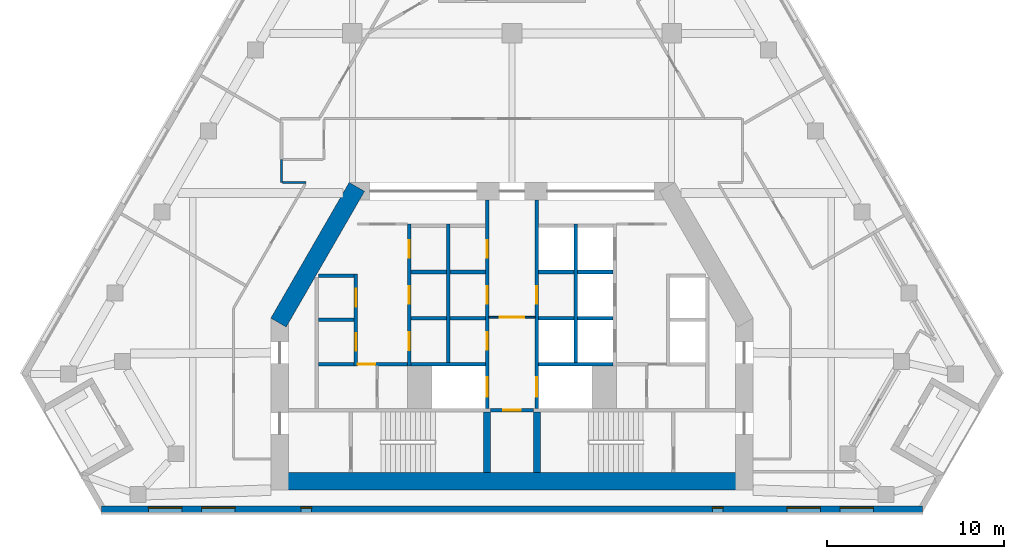
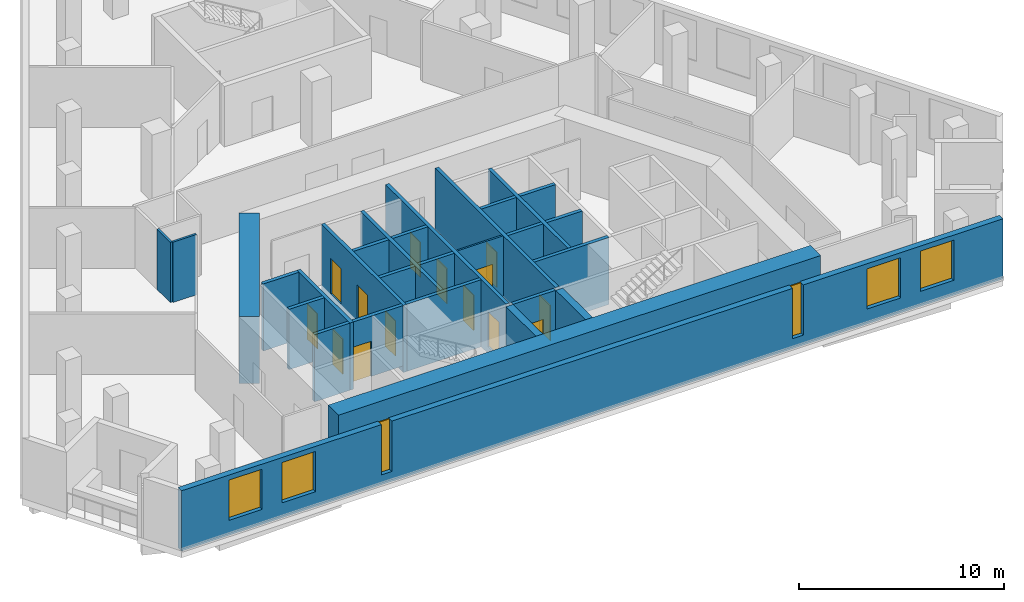
# One storey, part 4 of 9: 29 walls, 14 doors, 6 windows, 20 openings.
"""IFC4 building model written with IfcOpenShell, lengths in metres."""

import ifcopenshell
import ifcopenshell.guid

model = None  # the IFC model being written
_history = None  # IfcOwnerHistory: only IFC2X3 demands one
_inside = {}  # id of a spatial element -> (the spatial element, [elements in it])
_under = {}  # id of a project, library or spatial element -> (it, [spatial elements below it])
_declared = {}  # id of a project -> (the project, [libraries it declares])
_typed = {}  # id of a type object -> (the type object, [elements of that type])
_made_of = {}  # id of a material, layer set ... -> (it, [elements and type objects made of it])


def new_model(schema):
    """Start an empty IFC model of exactly this schema.

    Asked for "IFC4X3", IfcOpenShell would pick the latest addendum, in which some entities
    have other attributes; the version numbers below select the first issue.
    IFC2X3 requires an IfcOwnerHistory on every rooted entity: one is made here for all.
    """
    global model, _history
    if schema == "IFC4X3":
        model = ifcopenshell.file(schema_version=(4, 3, 0, 0))
    else:
        model = ifcopenshell.file(schema=schema)
    _inside.clear()
    _under.clear()
    _declared.clear()
    _typed.clear()
    _made_of.clear()
    _history = None
    if model.schema == "IFC2X3":
        org = make("IfcOrganization", Name="unknown")
        user = make(
            "IfcPersonAndOrganization",
            ThePerson=make("IfcPerson", FamilyName="unknown"),
            TheOrganization=org,
        )
        app = make(
            "IfcApplication",
            ApplicationDeveloper=org,
            Version="unknown",
            ApplicationFullName="unknown",
            ApplicationIdentifier="unknown",
        )
        _history = make(
            "IfcOwnerHistory",
            OwningUser=user,
            OwningApplication=app,
            ChangeAction="ADDED",
            CreationDate=0,
        )
    return model


def make(cls, **values):
    """One entity of the class cls with the attributes given. An attribute that is None is left unset."""
    return model.create_entity(
        cls, **{name: value for name, value in values.items() if value is not None}
    )


def rooted(cls, **values):
    """An entity with a GlobalId (a new one), such as an element, a storey or a relation."""
    return make(cls, GlobalId=ifcopenshell.guid.new(), OwnerHistory=_history, **values)


def si_unit(unit_type, name, prefix=None):
    """IfcSIUnit, for example si_unit("LENGTHUNIT", "METRE", prefix="MILLI")."""
    return make("IfcSIUnit", UnitType=unit_type, Prefix=prefix, Name=name)


def assignment(units):
    """IfcUnitAssignment: the units of a project."""
    return None if units is None else make("IfcUnitAssignment", Units=units)


def point(xyz):
    """IfcCartesianPoint."""
    return None if xyz is None else make("IfcCartesianPoint", Coordinates=xyz)


def direction(xyz):
    """IfcDirection."""
    return None if xyz is None else make("IfcDirection", DirectionRatios=xyz)


def frame(location, z_axis=None, x_axis=None):
    """IfcAxis2Placement3D, a coordinate frame: its origin and axes. An axis left out is left unset."""
    return make(
        "IfcAxis2Placement3D",
        Location=point(location),
        Axis=direction(z_axis),
        RefDirection=direction(x_axis),
    )


def frame_2d(location, x_axis=None):
    """IfcAxis2Placement2D, a coordinate frame in the plane: its origin and x axis."""
    return make(
        "IfcAxis2Placement2D", Location=point(location), RefDirection=direction(x_axis)
    )


def origin():
    """The frame at (0, 0, 0) with its axes left unset."""
    return frame((0.0, 0.0, 0.0))


def place(relative_to, where):
    """IfcLocalPlacement: puts the frame where relative to a parent placement (None: the world)."""
    return make(
        "IfcLocalPlacement", PlacementRelTo=relative_to, RelativePlacement=where
    )


def context(
    kind, dimensions, precision=None, world=None, true_north=None, identifier=None
):
    """IfcGeometricRepresentationContext, for example the 3D "Model" context."""
    return make(
        "IfcGeometricRepresentationContext",
        ContextIdentifier=identifier,
        ContextType=kind,
        CoordinateSpaceDimension=dimensions,
        Precision=precision,
        WorldCoordinateSystem=world,
        TrueNorth=true_north,
    )


def subcontext(parent, identifier, kind, view, scale=None):
    """IfcGeometricRepresentationSubContext, for example "Body" below "Model"."""
    return make(
        "IfcGeometricRepresentationSubContext",
        ContextIdentifier=identifier,
        ContextType=kind,
        ParentContext=parent,
        TargetScale=scale,
        TargetView=view,
    )


def project(units=None, contexts=None):
    """IfcProject with its units and contexts."""
    return rooted(
        "IfcProject",
        Name="project",
        RepresentationContexts=contexts,
        UnitsInContext=assignment(units),
    )


def spatial(cls, under=None, at=None, **own):
    """A site, building, storey or space (cls), placed at a placement, below another one or the project."""
    s = rooted(cls, ObjectPlacement=at, **own)
    if under is not None:
        _under.setdefault(under.id(), (under, []))[1].append(s)
    return s


def profile(cls, at=None, kind="AREA", **sizes):
    """A parametric profile (cls). Its sizes go by their IFC names, for example OverallWidth=200.0."""
    return make(cls, ProfileType=kind, Position=at, **sizes)


def rectangle(**sizes):
    """IfcRectangleProfileDef."""
    return profile("IfcRectangleProfileDef", **sizes)


def extrude(swept, where, along, depth):
    """IfcExtrudedAreaSolid: the profile swept, set in the frame where, extruded along a direction by depth."""
    return make(
        "IfcExtrudedAreaSolid",
        SweptArea=swept,
        Position=where,
        ExtrudedDirection=direction(along),
        Depth=depth,
    )


def shape(context_of_items, identifier, shape_type, items):
    """IfcShapeRepresentation: the items that make up one representation, for example the "Body"."""
    return make(
        "IfcShapeRepresentation",
        ContextOfItems=context_of_items,
        RepresentationIdentifier=identifier,
        RepresentationType=shape_type,
        Items=items,
    )


def material(Name=None, Category=None):
    """IfcMaterial."""
    return make("IfcMaterial", Name=Name, Category=Category)


def layer(
    of_material, thickness, ventilated=None, Name=None, Category=None, Priority=None
):
    """IfcMaterialLayer: one layer of a wall or slab, of a material (None: an air gap)."""
    return make(
        "IfcMaterialLayer",
        Material=of_material,
        LayerThickness=thickness,
        IsVentilated=ventilated,
        Name=Name,
        Category=Category,
        Priority=Priority,
    )


def layer_set(layers, Name=None):
    """IfcMaterialLayerSet."""
    return make("IfcMaterialLayerSet", MaterialLayers=layers, LayerSetName=Name)


def made_of(thing, what):
    """Note that an element or type object is made of a material, layer set ...; save() writes the relation."""
    if what is not None:
        _made_of.setdefault(what.id(), (what, []))[1].append(thing)
    return thing


def type_object(cls, material=None, **own):
    """A type object (cls), such as IfcWallType, which elements share."""
    return made_of(rooted(cls, **own), material)


def element(
    cls,
    number,
    at=None,
    inside=None,
    cuts=None,
    type_object=None,
    material=None,
    context=None,
    identifier="Body",
    shape_type=None,
    held_by="IfcProductDefinitionShape",
    body=None,
    shapes=None,
    **own,
):
    """One element of the class cls, such as IfcWall. Its Tag is "e" and its number.

    at: its placement. inside: the storey or other place that contains it. cuts: it is an
    opening in that element (IfcRelVoidsElement). A single representation is given by context,
    identifier, shape_type and body (its items); several are given by shapes. held_by: the class
    of the entity that holds the representations. save() writes the other relations.
    """
    e = rooted(cls, Tag="e%d" % number, ObjectPlacement=at, **own)
    if body is not None:
        shapes = [shape(context, identifier, shape_type, body)]
    if shapes is not None:
        e.Representation = make(held_by, Representations=shapes)
    if inside is not None:
        _inside.setdefault(inside.id(), (inside, []))[1].append(e)
    if cuts is not None:
        rooted(
            "IfcRelVoidsElement", RelatingBuildingElement=cuts, RelatedOpeningElement=e
        )
    if type_object is not None:
        _typed.setdefault(type_object.id(), (type_object, []))[1].append(e)
    return made_of(e, material)


def fill(opening, filler):
    """IfcRelFillsElement: the door or window that sits in an opening."""
    return rooted(
        "IfcRelFillsElement",
        RelatingOpeningElement=opening,
        RelatedBuildingElement=filler,
    )


def aggregate(whole, parts):
    """IfcRelAggregates: a whole, such as a stair, and the parts it consists of."""
    return rooted("IfcRelAggregates", RelatingObject=whole, RelatedObjects=parts)


def save(model, path):
    """Write the relations noted so far, then the file.

    IfcRelAggregates (storeys below a building ...), IfcRelContainedInSpatialStructure (elements
    in a storey), IfcRelDefinesByType, IfcRelAssociatesMaterial and IfcRelDeclares: one each for
    every whole, place, type object, material and project.
    """
    for whole, parts in _under.values():
        aggregate(whole, parts)
    for where, things in _inside.values():
        rooted(
            "IfcRelContainedInSpatialStructure",
            RelatedElements=things,
            RelatingStructure=where,
        )
    for kind, things in _typed.values():
        rooted("IfcRelDefinesByType", RelatedObjects=things, RelatingType=kind)
    for what, things in _made_of.values():
        rooted("IfcRelAssociatesMaterial", RelatedObjects=things, RelatingMaterial=what)
    for by, libraries in _declared.values():
        rooted("IfcRelDeclares", RelatingContext=by, RelatedDefinitions=libraries)
    model.write(path)


model = new_model("IFC4")

# Units and contexts
model_context = context("Model", 3, precision=1e-05, world=origin(), true_north=direction((0.0, 1.0)))
body_context = subcontext(model_context, "Body", "Model", "MODEL_VIEW")
ifc_project = project(units=[si_unit("LENGTHUNIT", "METRE"), si_unit("AREAUNIT", "SQUARE_METRE"), si_unit("VOLUMEUNIT", "CUBIC_METRE"), si_unit("PLANEANGLEUNIT", "RADIAN"), si_unit("MASSUNIT", "GRAM", prefix="KILO")], contexts=[model_context])

# Site, building, storey
site_placement = place(None, origin())
site = spatial("IfcSite", under=ifc_project, at=site_placement, CompositionType="ELEMENT")
building_placement = place(site_placement, origin())
building = spatial("IfcBuilding", under=site, at=building_placement, Name="Fogline Exchange Tower", CompositionType="ELEMENT")
storey_placement = place(building_placement, frame((0.0, 0.0, 194.10009765625)))
storey = spatial("IfcBuildingStorey", under=building, at=storey_placement, Name="L43", CompositionType="ELEMENT", Elevation=194.10009765625)

# Wall, opening, door
ifc_material_1 = material(Name="Blockwork partition", Category="masonry")
ifc_layer_1 = layer(ifc_material_1, 0.10009765625)
ifc_layer_set_1 = layer_set([ifc_layer_1], Name="CW10")
wall_type_1 = type_object("IfcWallType", Name="CW10", PredefinedType="PARTITIONING", material=ifc_layer_set_1)
wall_1_placement = place(storey_placement, frame((-1.300048828125, 11.0, 0.0), z_axis=(0.0, 0.0, 1.0), x_axis=(1.0, 0.0, 0.0)))
wall_1 = element("IfcWall", 1, at=wall_1_placement, inside=storey, type_object=wall_type_1, Name="Lift lobby partition", PredefinedType="PARTITIONING", context=body_context, shape_type="SweptSolid", body=[
    extrude(rectangle(XDim=2.60009765625, YDim=0.10009765625, at=frame_2d((1.300048828125, 0.0))), origin(), (0.0, 0.0, 1.0), 3.599853515625),
])
opening_1_placement = place(wall_1_placement, frame((0.60009765625, 0.0, 0.0)))
opening_1 = element("IfcOpeningElement", 2, at=opening_1_placement, cuts=wall_1, Name="Opening T14-C023", PredefinedType="OPENING", context=body_context, shape_type="SweptSolid", body=[
    extrude(rectangle(XDim=1.39990234375, YDim=2.10009765625, at=frame_2d((0.699951171875, 1.050048828125))), frame((0.0, 0.06005859375, 0.0), z_axis=(0.0, -1.0, 0.0), x_axis=(1.0, 0.0, 0.0)), (0.0, 0.0, 1.0), 0.1201171875),
])
ifc_material_2 = material(Name="Steel and timber fire door", Category="steel")
door_type_1 = type_object("IfcDoorType", Name="D-LB1", OperationType="DOUBLE_DOOR_SINGLE_SWING", PredefinedType="DOOR", material=ifc_material_2)
door_1_placement = place(opening_1_placement, frame((1.39990234375, 0.0, 0.0), z_axis=(0.0, 0.0, 1.0), x_axis=(-1.0, 0.0, 0.0)))
door_1 = element("IfcDoor", 3, at=door_1_placement, inside=storey, type_object=door_type_1, Name="Door to firefighting lift lobby", OperationType="DOUBLE_DOOR_SINGLE_SWING", OverallHeight=2.10009765625, OverallWidth=1.39990234375, PredefinedType="DOOR", context=body_context, shape_type="SweptSolid", body=[
    extrude(rectangle(XDim=1.39990234375, YDim=2.10009765625, at=frame_2d((0.699951171875, 1.050048828125))), frame((0.0, 0.02490234375, 0.0), z_axis=(0.0, -1.0, 0.0), x_axis=(1.0, 0.0, 0.0)), (0.0, 0.0, 1.0), 0.050048828125),
])
fill(opening_1, door_1)

# Walls
ifc_material_3 = material(Name="Concrete C40", Category="concrete")
ifc_layer_2 = layer(ifc_material_3, 0.199951171875)
ifc_layer_set_2 = layer_set([ifc_layer_2], Name="CW20")
wall_type_2 = type_object("IfcWallType", Name="CW20", PredefinedType="SOLIDWALL", material=ifc_layer_set_2)
for number, where, z_axis, x_axis, name in (
    (4, (-10.89990234375, 10.85009765625, 0.0), (0.0, 0.0, 1.0), (1.0, 0.0, 0.0), "Service room wall"),
    (5, (-5.699951171875, 10.949951171875, 0.0), (0.0, 0.0, 1.0), (1.0, 0.0, 0.0), "Service room wall"),
    (6, (-5.699951171875, 13.550048828125, 0.0), (0.0, 0.0, 1.0), (1.0, 0.0, 0.0), "Service room wall"),
    (7, (-3.5, 10.949951171875, 0.0), (0.0, 0.0, 1.0), (1.0, 0.0, 0.0), "Service room wall"),
    (8, (-3.5, 13.550048828125, 0.0), (0.0, 0.0, 1.0), (1.0, 0.0, 0.0), "Service room wall"),
):
    element("IfcWall", number, at=place(storey_placement, frame(where, z_axis=z_axis, x_axis=x_axis)), inside=storey, type_object=wall_type_2, Name=name, PredefinedType="SOLIDWALL", context=body_context, shape_type="SweptSolid", body=[
        extrude(rectangle(XDim=2.0, YDim=0.199951171875, at=frame_2d((1.0, 0.0))), origin(), (0.0, 0.0, 1.0), 3.599853515625),
    ])

# Wall, opening, door
wall_2_placement = place(storey_placement, frame((-8.699951171875, 8.35009765625, 0.0), z_axis=(0.0, 0.0, 1.0), x_axis=(1.0, 0.0, 0.0)))
wall_2 = element("IfcWall", 9, at=wall_2_placement, inside=storey, type_object=wall_type_2, Name="WC wall", PredefinedType="SOLIDWALL", context=body_context, shape_type="SweptSolid", body=[
    extrude(rectangle(XDim=2.800048828125, YDim=0.199951171875, at=frame_2d((1.39990234375, 0.0))), origin(), (0.0, 0.0, 1.0), 3.599853515625),
])
opening_2_placement = place(wall_2_placement, origin())
opening_2 = element("IfcOpeningElement", 10, at=opening_2_placement, cuts=wall_2, Name="Opening T14-C012", PredefinedType="OPENING", context=body_context, shape_type="SweptSolid", body=[
    extrude(rectangle(XDim=1.0, YDim=2.10009765625, at=frame_2d((0.5, 1.050048828125))), frame((0.0, 0.10986328125, 0.0), z_axis=(0.0, -1.0, 0.0), x_axis=(1.0, 0.0, 0.0)), (0.0, 0.0, 1.0), 0.219970703125),
])
door_type_2 = type_object("IfcDoorType", Name="D-WC1", OperationType="SINGLE_SWING_LEFT", PredefinedType="DOOR", material=ifc_material_2)
door_2_placement = place(opening_2_placement, frame((1.0, 0.0, 0.0), z_axis=(0.0, 0.0, 1.0), x_axis=(-1.0, 0.0, 0.0)))
door_2 = element("IfcDoor", 11, at=door_2_placement, inside=storey, type_object=door_type_2, Name="Door to Men's WC", OperationType="SINGLE_SWING_LEFT", OverallHeight=2.10009765625, OverallWidth=1.0, PredefinedType="DOOR", context=body_context, shape_type="SweptSolid", body=[
    extrude(rectangle(XDim=1.0, YDim=2.10009765625, at=frame_2d((0.5, 1.050048828125))), frame((0.0, 0.02490234375, 0.0), z_axis=(0.0, -1.0, 0.0), x_axis=(1.0, 0.0, 0.0)), (0.0, 0.0, 1.0), 0.050048828125),
])
fill(opening_2, door_2)

ifc_layer_3 = layer(ifc_material_3, 0.199951171875)
ifc_layer_set_3 = layer_set([ifc_layer_3], Name="CW20R")
wall_type_3 = type_object("IfcWallType", Name="CW20R", PredefinedType="SOLIDWALL", material=ifc_layer_set_3)
wall_3_placement = place(storey_placement, frame((-1.199951171875, 5.75, -0.400146484375), z_axis=(0.0, 0.0, 1.0), x_axis=(1.0, 0.0, 0.0)))
wall_3 = element("IfcWall", 12, at=wall_3_placement, inside=storey, type_object=wall_type_3, Name="Stair enclosure wall", PredefinedType="SOLIDWALL", context=body_context, shape_type="SweptSolid", body=[
    extrude(rectangle(XDim=2.39990234375, YDim=0.199951171875, at=frame_2d((1.199951171875, 0.0))), origin(), (0.0, 0.0, 1.0), 4.0),
])
opening_3_placement = place(wall_3_placement, frame((0.699951171875, 0.0, 0.39990234375)))
opening_3 = element("IfcOpeningElement", 13, at=opening_3_placement, cuts=wall_3, Name="Opening T14-C010", PredefinedType="OPENING", context=body_context, shape_type="SweptSolid", body=[
    extrude(rectangle(XDim=1.0, YDim=2.10009765625, at=frame_2d((0.5, 1.050048828125))), frame((0.0, 0.10986328125, 0.0), z_axis=(0.0, -1.0, 0.0), x_axis=(1.0, 0.0, 0.0)), (0.0, 0.0, 1.0), 0.219970703125),
])
door_type_3 = type_object("IfcDoorType", Name="D-RM1", OperationType="SINGLE_SWING_LEFT", PredefinedType="DOOR", material=ifc_material_2)
door_3_placement = place(opening_3_placement, frame((1.0, 0.0, 0.0), z_axis=(0.0, 0.0, 1.0), x_axis=(-1.0, 0.0, 0.0)))
door_3 = element("IfcDoor", 14, at=door_3_placement, inside=storey, type_object=door_type_3, Name="Door to Library Store", OperationType="SINGLE_SWING_RIGHT", OverallHeight=2.10009765625, OverallWidth=1.0, PredefinedType="DOOR", context=body_context, shape_type="SweptSolid", body=[
    extrude(rectangle(XDim=1.0, YDim=2.10009765625, at=frame_2d((0.5, 1.050048828125))), frame((0.0, 0.02490234375, 0.0), z_axis=(0.0, -1.0, 0.0), x_axis=(1.0, 0.0, 0.0)), (0.0, 0.0, 1.0), 0.050048828125),
])
fill(opening_3, door_3)

# Wall, openings, doors
ifc_layer_4 = layer(ifc_material_3, 0.199951171875)
ifc_layer_set_4 = layer_set([ifc_layer_4], Name="CW20S")
wall_type_4 = type_object("IfcWallType", Name="CW20S", PredefinedType="SOLIDWALL", material=ifc_layer_set_4)
wall_4_placement = place(storey_placement, frame((-8.800048828125, 8.25, -0.400146484375), z_axis=(0.0, 0.0, 1.0), x_axis=(0.0, 1.0, 0.0)))
wall_4 = element("IfcWall", 15, at=wall_4_placement, inside=storey, type_object=wall_type_4, Name="Lift shaft wall", PredefinedType="SOLIDWALL", context=body_context, shape_type="SweptSolid", body=[
    extrude(rectangle(XDim=5.199951171875, YDim=0.199951171875, at=frame_2d((2.60009765625, 0.0))), origin(), (0.0, 0.0, 1.0), 4.0),
])
opening_4_placement = place(wall_4_placement, frame((0.85009765625, 0.0, 0.39990234375)))
opening_4 = element("IfcOpeningElement", 16, at=opening_4_placement, cuts=wall_4, Name="Opening T14-C001", PredefinedType="OPENING", context=body_context, shape_type="SweptSolid", body=[
    extrude(rectangle(XDim=1.0, YDim=2.10009765625, at=frame_2d((0.5, 1.050048828125))), frame((0.0, 0.10986328125, 0.0), z_axis=(0.0, -1.0, 0.0), x_axis=(1.0, 0.0, 0.0)), (0.0, 0.0, 1.0), 0.219970703125),
])
opening_5_placement = place(wall_4_placement, frame((3.35009765625, 0.0, 0.39990234375)))
opening_5 = element("IfcOpeningElement", 17, at=opening_5_placement, cuts=wall_4, Name="Opening T14-C002", PredefinedType="OPENING", context=body_context, shape_type="SweptSolid", body=[
    extrude(rectangle(XDim=1.0, YDim=2.10009765625, at=frame_2d((0.5, 1.050048828125))), frame((0.0, 0.10986328125, 0.0), z_axis=(0.0, -1.0, 0.0), x_axis=(1.0, 0.0, 0.0)), (0.0, 0.0, 1.0), 0.219970703125),
])
door_4_placement = place(opening_4_placement, origin())
door_4 = element("IfcDoor", 18, at=door_4_placement, inside=storey, type_object=door_type_3, Name="Door to Riser Room", OperationType="SINGLE_SWING_RIGHT", OverallHeight=2.10009765625, OverallWidth=1.0, PredefinedType="DOOR", context=body_context, shape_type="SweptSolid", body=[
    extrude(rectangle(XDim=1.0, YDim=2.10009765625, at=frame_2d((0.5, 1.050048828125))), frame((0.0, 0.02490234375, 0.0), z_axis=(0.0, -1.0, 0.0), x_axis=(1.0, 0.0, 0.0)), (0.0, 0.0, 1.0), 0.050048828125),
])
fill(opening_4, door_4)
door_5_placement = place(opening_5_placement, origin())
door_5 = element("IfcDoor", 19, at=door_5_placement, inside=storey, type_object=door_type_3, Name="Door to Plant Room", OperationType="SINGLE_SWING_RIGHT", OverallHeight=2.10009765625, OverallWidth=1.0, PredefinedType="DOOR", context=body_context, shape_type="SweptSolid", body=[
    extrude(rectangle(XDim=1.0, YDim=2.10009765625, at=frame_2d((0.5, 1.050048828125))), frame((0.0, 0.02490234375, 0.0), z_axis=(0.0, -1.0, 0.0), x_axis=(1.0, 0.0, 0.0)), (0.0, 0.0, 1.0), 0.050048828125),
])
fill(opening_5, door_5)

wall_5_placement = place(storey_placement, frame((-5.800048828125, 8.25, -0.400146484375), z_axis=(0.0, 0.0, 1.0), x_axis=(0.0, 1.0, 0.0)))
wall_5 = element("IfcWall", 20, at=wall_5_placement, inside=storey, type_object=wall_type_4, Name="Lift shaft wall", PredefinedType="SOLIDWALL", context=body_context, shape_type="SweptSolid", body=[
    extrude(rectangle(XDim=8.0, YDim=0.199951171875, at=frame_2d((4.0, 0.0))), origin(), (0.0, 0.0, 1.0), 4.0),
])
opening_6_placement = place(wall_5_placement, frame((0.89990234375, 0.0, 0.39990234375)))
opening_6 = element("IfcOpeningElement", 21, at=opening_6_placement, cuts=wall_5, Name="Opening T14-C003", PredefinedType="OPENING", context=body_context, shape_type="SweptSolid", body=[
    extrude(rectangle(XDim=1.0, YDim=2.10009765625, at=frame_2d((0.5, 1.050048828125))), frame((0.0, 0.10986328125, 0.0), z_axis=(0.0, -1.0, 0.0), x_axis=(1.0, 0.0, 0.0)), (0.0, 0.0, 1.0), 0.219970703125),
])
opening_7_placement = place(wall_5_placement, frame((3.5, 0.0, 0.39990234375)))
opening_7 = element("IfcOpeningElement", 22, at=opening_7_placement, cuts=wall_5, Name="Opening T14-C004", PredefinedType="OPENING", context=body_context, shape_type="SweptSolid", body=[
    extrude(rectangle(XDim=1.0, YDim=2.10009765625, at=frame_2d((0.5, 1.050048828125))), frame((0.0, 0.10986328125, 0.0), z_axis=(0.0, -1.0, 0.0), x_axis=(1.0, 0.0, 0.0)), (0.0, 0.0, 1.0), 0.219970703125),
])
opening_8_placement = place(wall_5_placement, frame((6.10009765625, 0.0, 0.39990234375)))
opening_8 = element("IfcOpeningElement", 23, at=opening_8_placement, cuts=wall_5, Name="Opening T14-C005", PredefinedType="OPENING", context=body_context, shape_type="SweptSolid", body=[
    extrude(rectangle(XDim=1.0, YDim=2.10009765625, at=frame_2d((0.5, 1.050048828125))), frame((0.0, 0.10986328125, 0.0), z_axis=(0.0, -1.0, 0.0), x_axis=(1.0, 0.0, 0.0)), (0.0, 0.0, 1.0), 0.219970703125),
])
door_6_placement = place(opening_6_placement, frame((1.0, 0.0, 0.0), z_axis=(0.0, 0.0, 1.0), x_axis=(-1.0, 0.0, 0.0)))
door_6 = element("IfcDoor", 24, at=door_6_placement, inside=storey, type_object=door_type_3, Name="Door to Cable Store", OperationType="SINGLE_SWING_LEFT", OverallHeight=2.10009765625, OverallWidth=1.0, PredefinedType="DOOR", context=body_context, shape_type="SweptSolid", body=[
    extrude(rectangle(XDim=1.0, YDim=2.10009765625, at=frame_2d((0.5, 1.050048828125))), frame((0.0, 0.02490234375, 0.0), z_axis=(0.0, -1.0, 0.0), x_axis=(1.0, 0.0, 0.0)), (0.0, 0.0, 1.0), 0.050048828125),
])
fill(opening_6, door_6)
door_7_placement = place(opening_7_placement, frame((1.0, 0.0, 0.0), z_axis=(0.0, 0.0, 1.0), x_axis=(-1.0, 0.0, 0.0)))
door_7 = element("IfcDoor", 25, at=door_7_placement, inside=storey, type_object=door_type_3, Name="Door to Server Room", OperationType="SINGLE_SWING_RIGHT", OverallHeight=2.10009765625, OverallWidth=1.0, PredefinedType="DOOR", context=body_context, shape_type="SweptSolid", body=[
    extrude(rectangle(XDim=1.0, YDim=2.10009765625, at=frame_2d((0.5, 1.050048828125))), frame((0.0, 0.02490234375, 0.0), z_axis=(0.0, -1.0, 0.0), x_axis=(1.0, 0.0, 0.0)), (0.0, 0.0, 1.0), 0.050048828125),
])
fill(opening_7, door_7)
door_8_placement = place(opening_8_placement, frame((1.0, 0.0, 0.0), z_axis=(0.0, 0.0, 1.0), x_axis=(-1.0, 0.0, 0.0)))
door_8 = element("IfcDoor", 26, at=door_8_placement, inside=storey, type_object=door_type_3, Name="Door to Archive Store", OperationType="SINGLE_SWING_RIGHT", OverallHeight=2.10009765625, OverallWidth=1.0, PredefinedType="DOOR", context=body_context, shape_type="SweptSolid", body=[
    extrude(rectangle(XDim=1.0, YDim=2.10009765625, at=frame_2d((0.5, 1.050048828125))), frame((0.0, 0.02490234375, 0.0), z_axis=(0.0, -1.0, 0.0), x_axis=(1.0, 0.0, 0.0)), (0.0, 0.0, 1.0), 0.050048828125),
])
fill(opening_8, door_8)

# Walls
for number, where, z_axis, x_axis, name in (
    (27, (-3.60009765625, 8.449951171875, -0.400146484375), (0.0, 0.0, 1.0), (0.0, 1.0, 0.0), "Lift shaft wall"),
    (28, (3.60009765625, 8.449951171875, -0.400146484375), (0.0, 0.0, 1.0), (0.0, 1.0, 0.0), "Lift shaft wall"),
):
    element("IfcWall", number, at=place(storey_placement, frame(where, z_axis=z_axis, x_axis=x_axis)), inside=storey, type_object=wall_type_4, Name=name, PredefinedType="SOLIDWALL", context=body_context, shape_type="SweptSolid", body=[
        extrude(rectangle(XDim=7.800048828125, YDim=0.199951171875, at=frame_2d((3.89990234375, 0.0))), origin(), (0.0, 0.0, 1.0), 4.0),
    ])

# Wall, openings, doors
wall_6_placement = place(storey_placement, frame((-1.39990234375, 5.85009765625, -0.400146484375), z_axis=(0.0, 0.0, 1.0), x_axis=(0.0, 1.0, 0.0)))
wall_6 = element("IfcWall", 29, at=wall_6_placement, inside=storey, type_object=wall_type_4, Name="Lift lobby wall", PredefinedType="SOLIDWALL", context=body_context, shape_type="SweptSolid", body=[
    extrude(rectangle(XDim=11.75, YDim=0.199951171875, at=frame_2d((5.875, 0.0))), origin(), (0.0, 0.0, 1.0), 4.0),
])
opening_9_placement = place(wall_6_placement, frame((0.64990234375, 0.0, 0.39990234375)))
opening_9 = element("IfcOpeningElement", 30, at=opening_9_placement, cuts=wall_6, Name="Opening T14-LD01", PredefinedType="OPENING", context=body_context, shape_type="SweptSolid", body=[
    extrude(rectangle(XDim=1.10009765625, YDim=2.10009765625, at=frame_2d((0.550048828125, 1.050048828125))), frame((0.0, 0.10986328125, 0.0), z_axis=(0.0, -1.0, 0.0), x_axis=(1.0, 0.0, 0.0)), (0.0, 0.0, 1.0), 0.219970703125),
])
opening_10_placement = place(wall_6_placement, frame((3.300048828125, 0.0, 0.39990234375)))
opening_10 = element("IfcOpeningElement", 31, at=opening_10_placement, cuts=wall_6, Name="Opening T14-C006", PredefinedType="OPENING", context=body_context, shape_type="SweptSolid", body=[
    extrude(rectangle(XDim=1.0, YDim=2.10009765625, at=frame_2d((0.5, 1.050048828125))), frame((0.0, 0.10986328125, 0.0), z_axis=(0.0, -1.0, 0.0), x_axis=(1.0, 0.0, 0.0)), (0.0, 0.0, 1.0), 0.219970703125),
])
opening_11_placement = place(wall_6_placement, frame((5.89990234375, 0.0, 0.39990234375)))
opening_11 = element("IfcOpeningElement", 32, at=opening_11_placement, cuts=wall_6, Name="Opening T14-C007", PredefinedType="OPENING", context=body_context, shape_type="SweptSolid", body=[
    extrude(rectangle(XDim=1.0, YDim=2.10009765625, at=frame_2d((0.5, 1.050048828125))), frame((0.0, 0.10986328125, 0.0), z_axis=(0.0, -1.0, 0.0), x_axis=(1.0, 0.0, 0.0)), (0.0, 0.0, 1.0), 0.219970703125),
])
opening_12_placement = place(wall_6_placement, frame((8.5, 0.0, 0.39990234375)))
opening_12 = element("IfcOpeningElement", 33, at=opening_12_placement, cuts=wall_6, Name="Opening T14-C008", PredefinedType="OPENING", context=body_context, shape_type="SweptSolid", body=[
    extrude(rectangle(XDim=1.0, YDim=2.10009765625, at=frame_2d((0.5, 1.050048828125))), frame((0.0, 0.10986328125, 0.0), z_axis=(0.0, -1.0, 0.0), x_axis=(1.0, 0.0, 0.0)), (0.0, 0.0, 1.0), 0.219970703125),
])
door_9_placement = place(opening_10_placement, origin())
door_9 = element("IfcDoor", 34, at=door_9_placement, inside=storey, type_object=door_type_3, Name="Door to Library Store", OperationType="SINGLE_SWING_LEFT", OverallHeight=2.10009765625, OverallWidth=1.0, PredefinedType="DOOR", context=body_context, shape_type="SweptSolid", body=[
    extrude(rectangle(XDim=1.0, YDim=2.10009765625, at=frame_2d((0.5, 1.050048828125))), frame((0.0, 0.02490234375, 0.0), z_axis=(0.0, -1.0, 0.0), x_axis=(1.0, 0.0, 0.0)), (0.0, 0.0, 1.0), 0.050048828125),
])
fill(opening_10, door_9)
door_10_placement = place(opening_11_placement, origin())
door_10 = element("IfcDoor", 35, at=door_10_placement, inside=storey, type_object=door_type_3, Name="Door to Stationery Store", OperationType="SINGLE_SWING_LEFT", OverallHeight=2.10009765625, OverallWidth=1.0, PredefinedType="DOOR", context=body_context, shape_type="SweptSolid", body=[
    extrude(rectangle(XDim=1.0, YDim=2.10009765625, at=frame_2d((0.5, 1.050048828125))), frame((0.0, 0.02490234375, 0.0), z_axis=(0.0, -1.0, 0.0), x_axis=(1.0, 0.0, 0.0)), (0.0, 0.0, 1.0), 0.050048828125),
])
fill(opening_11, door_10)
door_11_placement = place(opening_12_placement, origin())
door_11 = element("IfcDoor", 36, at=door_11_placement, inside=storey, type_object=door_type_3, Name="Door to Records Store", OperationType="SINGLE_SWING_LEFT", OverallHeight=2.10009765625, OverallWidth=1.0, PredefinedType="DOOR", context=body_context, shape_type="SweptSolid", body=[
    extrude(rectangle(XDim=1.0, YDim=2.10009765625, at=frame_2d((0.5, 1.050048828125))), frame((0.0, 0.02490234375, 0.0), z_axis=(0.0, -1.0, 0.0), x_axis=(1.0, 0.0, 0.0)), (0.0, 0.0, 1.0), 0.050048828125),
])
fill(opening_12, door_11)
door_type_4 = type_object("IfcDoorType", Name="LD2", OperationType="SLIDING_TO_RIGHT", PredefinedType="DOOR", material=ifc_material_2)
door_12_placement = place(opening_9_placement, origin())
door_12 = element("IfcDoor", 37, at=door_12_placement, inside=storey, type_object=door_type_4, Name="Landing door FF1", OperationType="SLIDING_TO_RIGHT", OverallHeight=2.10009765625, OverallWidth=1.10009765625, PredefinedType="DOOR", context=body_context, shape_type="SweptSolid", body=[
    extrude(rectangle(XDim=1.10009765625, YDim=2.10009765625, at=frame_2d((0.550048828125, 1.050048828125))), frame((0.0, 0.02490234375, 0.0), z_axis=(0.0, -1.0, 0.0), x_axis=(1.0, 0.0, 0.0)), (0.0, 0.0, 1.0), 0.050048828125),
])
fill(opening_9, door_12)

wall_7_placement = place(storey_placement, frame((1.39990234375, 5.85009765625, -0.400146484375), z_axis=(0.0, 0.0, 1.0), x_axis=(0.0, 1.0, 0.0)))
wall_7 = element("IfcWall", 38, at=wall_7_placement, inside=storey, type_object=wall_type_4, Name="Lift lobby wall", PredefinedType="SOLIDWALL", context=body_context, shape_type="SweptSolid", body=[
    extrude(rectangle(XDim=11.75, YDim=0.199951171875, at=frame_2d((5.875, 0.0))), origin(), (0.0, 0.0, 1.0), 4.0),
])
opening_13_placement = place(wall_7_placement, frame((0.64990234375, 0.0, 0.39990234375)))
opening_13 = element("IfcOpeningElement", 39, at=opening_13_placement, cuts=wall_7, Name="Opening T14-LD05", PredefinedType="OPENING", context=body_context, shape_type="SweptSolid", body=[
    extrude(rectangle(XDim=1.10009765625, YDim=2.10009765625, at=frame_2d((0.550048828125, 1.050048828125))), frame((0.0, 0.10986328125, 0.0), z_axis=(0.0, -1.0, 0.0), x_axis=(1.0, 0.0, 0.0)), (0.0, 0.0, 1.0), 0.219970703125),
])
opening_14_placement = place(wall_7_placement, frame((5.89990234375, 0.0, 0.39990234375)))
opening_14 = element("IfcOpeningElement", 40, at=opening_14_placement, cuts=wall_7, Name="Opening T14-C009", PredefinedType="OPENING", context=body_context, shape_type="SweptSolid", body=[
    extrude(rectangle(XDim=1.0, YDim=2.10009765625, at=frame_2d((0.5, 1.050048828125))), frame((0.0, 0.10986328125, 0.0), z_axis=(0.0, -1.0, 0.0), x_axis=(1.0, 0.0, 0.0)), (0.0, 0.0, 1.0), 0.219970703125),
])
door_13_placement = place(opening_14_placement, frame((1.0, 0.0, 0.0), z_axis=(0.0, 0.0, 1.0), x_axis=(-1.0, 0.0, 0.0)))
door_13 = element("IfcDoor", 41, at=door_13_placement, inside=storey, type_object=door_type_3, Name="Door to Server Room", OperationType="SINGLE_SWING_RIGHT", OverallHeight=2.10009765625, OverallWidth=1.0, PredefinedType="DOOR", context=body_context, shape_type="SweptSolid", body=[
    extrude(rectangle(XDim=1.0, YDim=2.10009765625, at=frame_2d((0.5, 1.050048828125))), frame((0.0, 0.02490234375, 0.0), z_axis=(0.0, -1.0, 0.0), x_axis=(1.0, 0.0, 0.0)), (0.0, 0.0, 1.0), 0.050048828125),
])
fill(opening_14, door_13)
door_14_placement = place(opening_13_placement, origin())
door_14 = element("IfcDoor", 42, at=door_14_placement, inside=storey, type_object=door_type_4, Name="Landing door FF2", OperationType="SLIDING_TO_RIGHT", OverallHeight=2.10009765625, OverallWidth=1.10009765625, PredefinedType="DOOR", context=body_context, shape_type="SweptSolid", body=[
    extrude(rectangle(XDim=1.10009765625, YDim=2.10009765625, at=frame_2d((0.550048828125, 1.050048828125))), frame((0.0, 0.02490234375, 0.0), z_axis=(0.0, -1.0, 0.0), x_axis=(1.0, 0.0, 0.0)), (0.0, 0.0, 1.0), 0.050048828125),
])
fill(opening_13, door_14)

# Walls
wall_8_placement = place(storey_placement, frame((-10.89990234375, 8.35009765625, -0.400146484375), z_axis=(0.0, 0.0, 1.0), x_axis=(1.0, 0.0, 0.0)))
element("IfcWall", 43, at=wall_8_placement, inside=storey, type_object=wall_type_4, Name="Lift shaft wall", PredefinedType="SOLIDWALL", context=body_context, shape_type="SweptSolid", body=[
    extrude(rectangle(XDim=2.0, YDim=0.199951171875, at=frame_2d((1.0, 0.0))), origin(), (0.0, 0.0, 1.0), 4.0),
])
for number, where, z_axis, x_axis, name in (
    (44, (-5.699951171875, 8.35009765625, -0.400146484375), (0.0, 0.0, 1.0), (1.0, 0.0, 0.0), "Lift shaft wall"),
    (45, (1.5, 8.35009765625, -0.400146484375), (0.0, 0.0, 1.0), (1.0, 0.0, 0.0), "Lift shaft wall"),
):
    element("IfcWall", number, at=place(storey_placement, frame(where, z_axis=z_axis, x_axis=x_axis)), inside=storey, type_object=wall_type_4, Name=name, PredefinedType="SOLIDWALL", context=body_context, shape_type="SweptSolid", body=[
        extrude(rectangle(XDim=4.199951171875, YDim=0.199951171875, at=frame_2d((2.10009765625, 0.0))), origin(), (0.0, 0.0, 1.0), 4.0),
    ])
for number, where, z_axis, x_axis, name in (
    (46, (-10.89990234375, 13.35009765625, -0.400146484375), (0.0, 0.0, 1.0), (1.0, 0.0, 0.0), "Lift shaft wall"),
    (47, (3.699951171875, 10.949951171875, -0.400146484375), (0.0, 0.0, 1.0), (1.0, 0.0, 0.0), "Lift shaft wall"),
    (48, (3.699951171875, 13.550048828125, -0.400146484375), (0.0, 0.0, 1.0), (1.0, 0.0, 0.0), "Lift shaft wall"),
    (49, (1.5, 10.949951171875, -0.400146484375), (0.0, 0.0, 1.0), (1.0, 0.0, 0.0), "Lift shaft wall"),
    (50, (1.5, 13.550048828125, -0.400146484375), (0.0, 0.0, 1.0), (1.0, 0.0, 0.0), "Lift shaft wall"),
):
    element("IfcWall", number, at=place(storey_placement, frame(where, z_axis=z_axis, x_axis=x_axis)), inside=storey, type_object=wall_type_4, Name=name, PredefinedType="SOLIDWALL", context=body_context, shape_type="SweptSolid", body=[
        extrude(rectangle(XDim=2.0, YDim=0.199951171875, at=frame_2d((1.0, 0.0))), origin(), (0.0, 0.0, 1.0), 4.0),
    ])
ifc_layer_5 = layer(ifc_material_3, 0.39990234375)
ifc_layer_set_5 = layer_set([ifc_layer_5], Name="CW40R")
wall_type_5 = type_object("IfcWallType", Name="CW40R", PredefinedType="SOLIDWALL", material=ifc_layer_set_5)
for number, where, z_axis, x_axis, name in (
    (51, (-1.39990234375, 2.25, -0.400146484375), (0.0, 0.0, 1.0), (0.0, 1.0, 0.0), "Stair and lift shaft wall"),
    (52, (1.39990234375, 2.25, -0.400146484375), (0.0, 0.0, 1.0), (0.0, 1.0, 0.0), "Stair and lift shaft wall"),
):
    element("IfcWall", number, at=place(storey_placement, frame(where, z_axis=z_axis, x_axis=x_axis)), inside=storey, type_object=wall_type_5, Name=name, PredefinedType="SOLIDWALL", context=body_context, shape_type="SweptSolid", body=[
        extrude(rectangle(XDim=3.39990234375, YDim=0.39990234375, at=frame_2d((1.699951171875, 0.0))), origin(), (0.0, 0.0, 1.0), 4.0),
    ])

# Wall, openings, windows
ifc_material_4 = material(Name="Brick masonry", Category="masonry")
ifc_layer_6 = layer(ifc_material_4, 0.340087890625)
ifc_layer_set_6 = layer_set([ifc_layer_6], Name="FW1")
wall_type_6 = type_object("IfcWallType", Name="FW1", PredefinedType="SOLIDWALL", material=ifc_layer_set_6)
wall_9_placement = place(storey_placement, frame((-23.158935546875, 0.169921875, 0.0), z_axis=(0.0, 0.0, 1.0), x_axis=(1.0, 0.0, 0.0)))
wall_9 = element("IfcWall", 53, at=wall_9_placement, inside=storey, type_object=wall_type_6, Name="Brick wall L43 S", PredefinedType="SOLIDWALL", context=body_context, shape_type="SweptSolid", body=[
    extrude(rectangle(XDim=46.31787109375, YDim=0.340087890625, at=frame_2d((23.158935546875, 0.0))), origin(), (0.0, 0.0, 1.0), 3.599853515625),
])
opening_15_placement = place(wall_9_placement, frame((2.658935546875, 0.0, 0.89990234375)))
opening_15 = element("IfcOpeningElement", 54, at=opening_15_placement, cuts=wall_9, Name="Opening W1", PredefinedType="OPENING", context=body_context, shape_type="SweptSolid", body=[
    extrude(rectangle(XDim=1.885009765625, YDim=2.39990234375, at=frame_2d((0.9423828125, 1.199951171875))), frame((0.0, 0.18017578125, 0.0), z_axis=(0.0, -1.0, 0.0), x_axis=(1.0, 0.0, 0.0)), (0.0, 0.0, 1.0), 0.360107421875),
])
opening_16_placement = place(wall_9_placement, frame((5.658935546875, 0.0, 0.89990234375)))
opening_16 = element("IfcOpeningElement", 55, at=opening_16_placement, cuts=wall_9, Name="Opening W1", PredefinedType="OPENING", context=body_context, shape_type="SweptSolid", body=[
    extrude(rectangle(XDim=1.885009765625, YDim=2.39990234375, at=frame_2d((0.9423828125, 1.199951171875))), frame((0.0, 0.18017578125, 0.0), z_axis=(0.0, -1.0, 0.0), x_axis=(1.0, 0.0, 0.0)), (0.0, 0.0, 1.0), 0.360107421875),
])
opening_17_placement = place(wall_9_placement, frame((38.658935546875, 0.0, 0.89990234375)))
opening_17 = element("IfcOpeningElement", 56, at=opening_17_placement, cuts=wall_9, Name="Opening W1", PredefinedType="OPENING", context=body_context, shape_type="SweptSolid", body=[
    extrude(rectangle(XDim=1.885009765625, YDim=2.39990234375, at=frame_2d((0.9423828125, 1.199951171875))), frame((0.0, 0.18017578125, 0.0), z_axis=(0.0, -1.0, 0.0), x_axis=(1.0, 0.0, 0.0)), (0.0, 0.0, 1.0), 0.360107421875),
])
opening_18_placement = place(wall_9_placement, frame((41.658935546875, 0.0, 0.89990234375)))
opening_18 = element("IfcOpeningElement", 57, at=opening_18_placement, cuts=wall_9, Name="Opening W1", PredefinedType="OPENING", context=body_context, shape_type="SweptSolid", body=[
    extrude(rectangle(XDim=1.885009765625, YDim=2.39990234375, at=frame_2d((0.9423828125, 1.199951171875))), frame((0.0, 0.18017578125, 0.0), z_axis=(0.0, -1.0, 0.0), x_axis=(1.0, 0.0, 0.0)), (0.0, 0.0, 1.0), 0.360107421875),
])
opening_19_placement = place(wall_9_placement, frame((11.259033203125, 0.0, 0.60009765625)))
opening_19 = element("IfcOpeningElement", 58, at=opening_19_placement, cuts=wall_9, Name="Opening W5", PredefinedType="OPENING", context=body_context, shape_type="SweptSolid", body=[
    extrude(rectangle(XDim=0.60009765625, YDim=3.0, at=frame_2d((0.300048828125, 1.5))), frame((0.0, 0.18017578125, 0.0), z_axis=(0.0, -1.0, 0.0), x_axis=(1.0, 0.0, 0.0)), (0.0, 0.0, 1.0), 0.360107421875),
])
opening_20_placement = place(wall_9_placement, frame((34.458984375, 0.0, 0.60009765625)))
opening_20 = element("IfcOpeningElement", 59, at=opening_20_placement, cuts=wall_9, Name="Opening W5", PredefinedType="OPENING", context=body_context, shape_type="SweptSolid", body=[
    extrude(rectangle(XDim=0.60009765625, YDim=3.0, at=frame_2d((0.300048828125, 1.5))), frame((0.0, 0.18017578125, 0.0), z_axis=(0.0, -1.0, 0.0), x_axis=(1.0, 0.0, 0.0)), (0.0, 0.0, 1.0), 0.360107421875),
])
ifc_material_5 = material(Name="Aluminium and glass", Category="aluminium")
window_type_1 = type_object("IfcWindowType", Name="W1", PartitioningType="SINGLE_PANEL", PredefinedType="WINDOW", material=ifc_material_5)
window_1_placement = place(opening_15_placement, origin())
window_1 = element("IfcWindow", 60, at=window_1_placement, inside=storey, type_object=window_type_1, Name="W1 W1", OverallHeight=2.39990234375, OverallWidth=1.885009765625, PartitioningType="SINGLE_PANEL", PredefinedType="WINDOW", context=body_context, shape_type="SweptSolid", body=[
    extrude(rectangle(XDim=1.885009765625, YDim=2.39990234375, at=frame_2d((0.9423828125, 1.199951171875))), frame((0.0, 0.110107421875, 0.0), z_axis=(0.0, -1.0, 0.0), x_axis=(1.0, 0.0, 0.0)), (0.0, 0.0, 1.0), 0.06005859375),
])
fill(opening_15, window_1)
window_2_placement = place(opening_16_placement, origin())
window_2 = element("IfcWindow", 61, at=window_2_placement, inside=storey, type_object=window_type_1, Name="W1 W1", OverallHeight=2.39990234375, OverallWidth=1.885009765625, PartitioningType="SINGLE_PANEL", PredefinedType="WINDOW", context=body_context, shape_type="SweptSolid", body=[
    extrude(rectangle(XDim=1.885009765625, YDim=2.39990234375, at=frame_2d((0.9423828125, 1.199951171875))), frame((0.0, 0.110107421875, 0.0), z_axis=(0.0, -1.0, 0.0), x_axis=(1.0, 0.0, 0.0)), (0.0, 0.0, 1.0), 0.06005859375),
])
fill(opening_16, window_2)
window_3_placement = place(opening_17_placement, origin())
window_3 = element("IfcWindow", 62, at=window_3_placement, inside=storey, type_object=window_type_1, Name="W1 W1", OverallHeight=2.39990234375, OverallWidth=1.885009765625, PartitioningType="SINGLE_PANEL", PredefinedType="WINDOW", context=body_context, shape_type="SweptSolid", body=[
    extrude(rectangle(XDim=1.885009765625, YDim=2.39990234375, at=frame_2d((0.9423828125, 1.199951171875))), frame((0.0, 0.110107421875, 0.0), z_axis=(0.0, -1.0, 0.0), x_axis=(1.0, 0.0, 0.0)), (0.0, 0.0, 1.0), 0.06005859375),
])
fill(opening_17, window_3)
window_4_placement = place(opening_18_placement, origin())
window_4 = element("IfcWindow", 63, at=window_4_placement, inside=storey, type_object=window_type_1, Name="W1 W1", OverallHeight=2.39990234375, OverallWidth=1.885009765625, PartitioningType="SINGLE_PANEL", PredefinedType="WINDOW", context=body_context, shape_type="SweptSolid", body=[
    extrude(rectangle(XDim=1.885009765625, YDim=2.39990234375, at=frame_2d((0.9423828125, 1.199951171875))), frame((0.0, 0.110107421875, 0.0), z_axis=(0.0, -1.0, 0.0), x_axis=(1.0, 0.0, 0.0)), (0.0, 0.0, 1.0), 0.06005859375),
])
fill(opening_18, window_4)
window_type_2 = type_object("IfcWindowType", Name="W5", PartitioningType="SINGLE_PANEL", PredefinedType="WINDOW", material=ifc_material_5)
window_5_placement = place(opening_19_placement, origin())
window_5 = element("IfcWindow", 64, at=window_5_placement, inside=storey, type_object=window_type_2, Name="W5 W5", OverallHeight=3.0, OverallWidth=0.60009765625, PartitioningType="SINGLE_PANEL", PredefinedType="WINDOW", context=body_context, shape_type="SweptSolid", body=[
    extrude(rectangle(XDim=0.60009765625, YDim=3.0, at=frame_2d((0.300048828125, 1.5))), frame((0.0, 0.110107421875, 0.0), z_axis=(0.0, -1.0, 0.0), x_axis=(1.0, 0.0, 0.0)), (0.0, 0.0, 1.0), 0.06005859375),
])
fill(opening_19, window_5)
window_6_placement = place(opening_20_placement, origin())
window_6 = element("IfcWindow", 65, at=window_6_placement, inside=storey, type_object=window_type_2, Name="W5 W5", OverallHeight=3.0, OverallWidth=0.60009765625, PartitioningType="SINGLE_PANEL", PredefinedType="WINDOW", context=body_context, shape_type="SweptSolid", body=[
    extrude(rectangle(XDim=0.60009765625, YDim=3.0, at=frame_2d((0.300048828125, 1.5))), frame((0.0, 0.110107421875, 0.0), z_axis=(0.0, -1.0, 0.0), x_axis=(1.0, 0.0, 0.0)), (0.0, 0.0, 1.0), 0.06005859375),
])
fill(opening_20, window_6)

# Walls
ifc_material_6 = material(Name="Plasterboard corridor partition with mineral wool, 2 layers each side")
ifc_layer_7 = layer(ifc_material_6, 0.125)
ifc_layer_set_7 = layer_set([ifc_layer_7], Name="PW2")
wall_type_7 = type_object("IfcWallType", Name="PW2", PredefinedType="PARTITIONING", material=ifc_layer_set_7)
wall_10_placement = place(storey_placement, frame((-11.60546875, 18.60009765625, 0.0), z_axis=(0.0, 0.0, 1.0), x_axis=(-1.0, 0.0, 0.0)))
element("IfcWall", 66, at=wall_10_placement, inside=storey, type_object=wall_type_7, Name="wall-L43-W010", PredefinedType="PARTITIONING", context=body_context, shape_type="SweptSolid", body=[
    extrude(rectangle(XDim=1.33203125, YDim=0.125, at=frame_2d((0.666015625, 0.0))), origin(), (0.0, 0.0, 1.0), 3.599853515625),
])
wall_11_placement = place(storey_placement, frame((-13.0, 18.60009765625, 0.0), z_axis=(0.0, 0.0, 1.0), x_axis=(0.0, 1.0, 0.0)))
element("IfcWall", 67, at=wall_11_placement, inside=storey, type_object=wall_type_7, Name="wall-L43-W011", PredefinedType="PARTITIONING", context=body_context, shape_type="SweptSolid", body=[
    extrude(rectangle(XDim=1.2998046875, YDim=0.125, at=frame_2d((0.64990234375, 0.0))), origin(), (0.0, 0.0, 1.0), 3.599853515625),
])
ifc_material_7 = material(Name="Concrete C60", Category="concrete")
ifc_layer_8 = layer(ifc_material_7, 1.0)
ifc_layer_set_8 = layer_set([ifc_layer_8], Name="SW03")
wall_type_8 = type_object("IfcWallType", Name="SW03", PredefinedType="SHEAR", material=ifc_layer_set_8)
wall_12_placement = place(storey_placement, frame((-13.60009765625, 1.75, 0.0), z_axis=(0.0, 0.0, 1.0), x_axis=(1.0, 0.0, 0.0)))
element("IfcWall", 68, at=wall_12_placement, inside=storey, type_object=wall_type_8, Name="L43-W901", PredefinedType="SHEAR", context=body_context, shape_type="SweptSolid", body=[
    extrude(rectangle(XDim=27.2001953125, YDim=1.0, at=frame_2d((13.60009765625, 0.0))), origin(), (0.0, 0.0, 1.0), 4.0),
])
wall_13_placement = place(storey_placement, frame((-8.74755859375, 18.35009765625, 0.0), z_axis=(0.0, 0.0, 1.0), x_axis=(-0.499995021168, -0.866028278295, 0.0)))
element("IfcWall", 69, at=wall_13_placement, inside=storey, type_object=wall_type_8, Name="L43-W905", PredefinedType="SHEAR", context=body_context, shape_type="SweptSolid", body=[
    extrude(rectangle(XDim=8.8388671875, YDim=1.0, at=frame_2d((4.41943359375, 0.0))), origin(), (0.0, 0.0, 1.0), 4.0),
])

save(model, "model.ifc")
